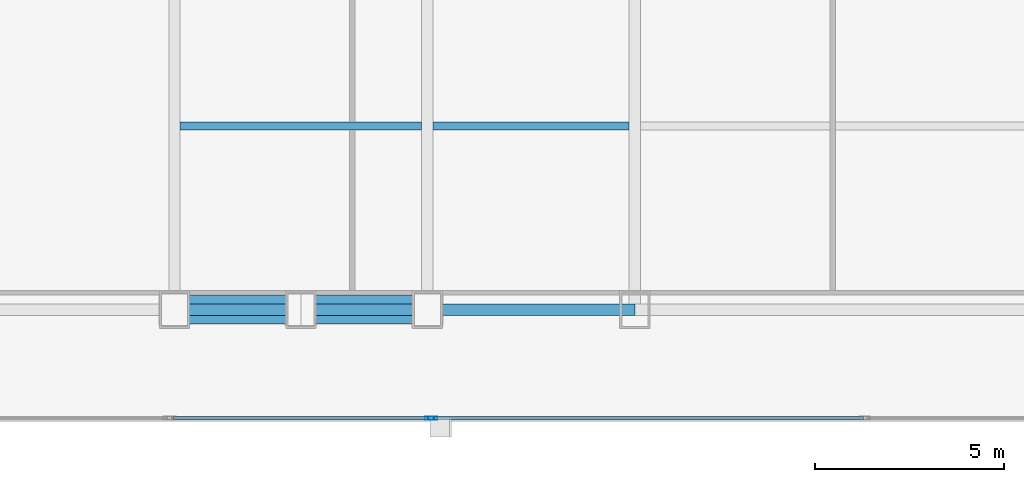
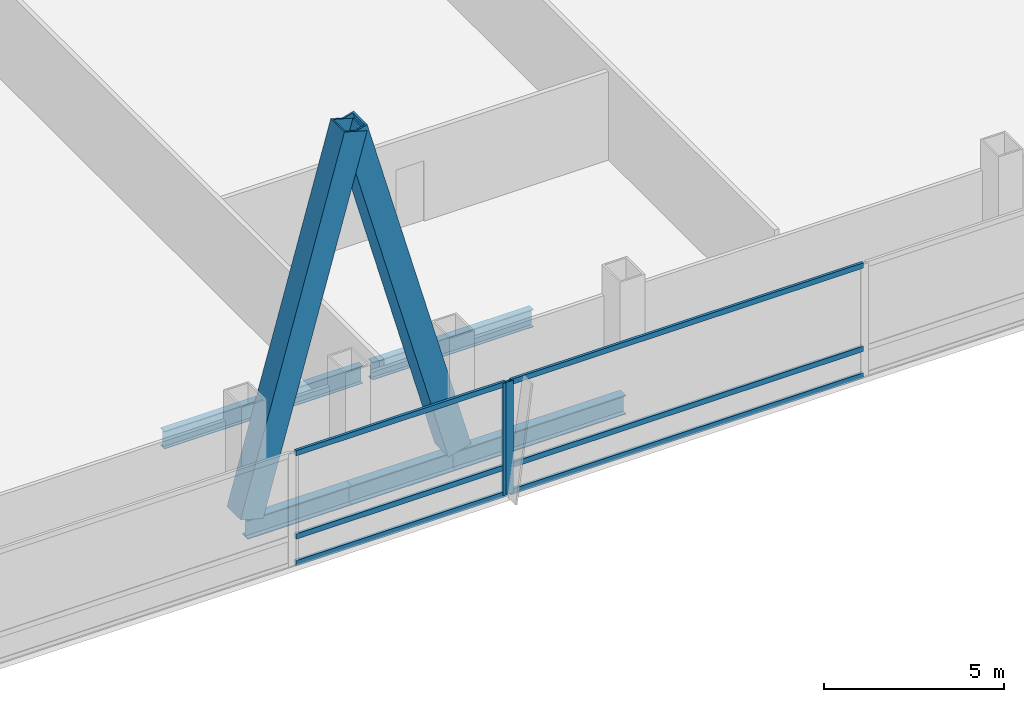
# One storey, part 8 of 36: 10 members, 5 beams, 2 elements without a shape of their own.
"""IFC4 building model written with IfcOpenShell, lengths in metres."""

from ifc_helpers import new_model, si_unit, direction, frame, origin, origin_2d, place, context, subcontext, project, spatial, hollow_rectangle, i_section, extrude, material, material_profile, profile_set, type_object, element, aggregate, save


model = new_model("IFC4")

# Units and contexts
model_context = context("Model", 3, precision=1e-05, world=origin(), true_north=direction((0.0, 1.0)))
body_context = subcontext(model_context, "Body", "Model", "MODEL_VIEW")
ifc_project = project(units=[si_unit("LENGTHUNIT", "METRE"), si_unit("AREAUNIT", "SQUARE_METRE"), si_unit("VOLUMEUNIT", "CUBIC_METRE"), si_unit("PLANEANGLEUNIT", "RADIAN"), si_unit("MASSUNIT", "GRAM", prefix="KILO")], contexts=[model_context])

# Site, building, storey
site_placement = place(None, origin())
site = spatial("IfcSite", under=ifc_project, at=site_placement, CompositionType="ELEMENT")
building_placement = place(site_placement, origin())
building = spatial("IfcBuilding", under=site, at=building_placement, Name="Khoronbel Lancet Exchange", CompositionType="ELEMENT")
storey_placement = place(building_placement, frame((0.0, 0.0, 49.800048828125)))
storey = spatial("IfcBuildingStorey", under=building, at=storey_placement, Name="L11", CompositionType="ELEMENT", Elevation=49.800048828125)

# Beams
ifc_material_1 = material(Name="Steel S355", Category="steel")
ifc_material_profile_1 = material_profile(ifc_material_1, i_section(OverallWidth=0.219970703125, OverallDepth=0.60009765625, WebThickness=0.011962890625, FlangeThickness=0.01904296875, at=origin_2d()), Name="IPE 600")
ifc_profile_set_1 = profile_set([ifc_material_profile_1], Name="Steel S355")
beam_type_1 = type_object("IfcBeamType", Name="BM-BJ1", PredefinedType="JOIST", material=ifc_profile_set_1)
beam_1_placement = place(storey_placement, frame((18.375, 15.0, -0.47998046875), z_axis=(1.0, 0.0, 0.0), x_axis=(0.0, 1.0, 0.0)))
element("IfcBeam", 1, at=beam_1_placement, inside=storey, type_object=beam_type_1, Name="Level L11 secondary composite joist J01", PredefinedType="JOIST", context=body_context, shape_type="SweptSolid", body=[
    extrude(i_section(OverallWidth=0.219970703125, OverallDepth=0.60009765625, WebThickness=0.011962890625, FlangeThickness=0.01904296875, at=origin_2d()), origin(), (0.0, 0.0, 1.0), 6.375),
])
beam_2_placement = place(storey_placement, frame((25.050048828125, 15.0, -0.47998046875), z_axis=(1.0, 0.0, 0.0), x_axis=(0.0, 1.0, 0.0)))
element("IfcBeam", 2, at=beam_2_placement, inside=storey, type_object=beam_type_1, Name="Level L11 secondary composite joist J02", PredefinedType="JOIST", context=body_context, shape_type="SweptSolid", body=[
    extrude(i_section(OverallWidth=0.219970703125, OverallDepth=0.60009765625, WebThickness=0.011962890625, FlangeThickness=0.01904296875, at=origin_2d()), origin(), (0.0, 0.0, 1.0), 5.175048828125),
])
ifc_material_profile_2 = material_profile(ifc_material_1, i_section(OverallWidth=0.300048828125, OverallDepth=0.64990234375, WebThickness=0.01611328125, FlangeThickness=0.031005859375, at=origin_2d()), Name="HEB 650")
ifc_profile_set_2 = profile_set([ifc_material_profile_2], Name="Steel S355")
beam_type_2 = type_object("IfcBeamType", Name="BM-BSP1", PredefinedType="SPANDREL", material=ifc_profile_set_2)
for number, where, z_axis, x_axis, name in (
    (3, (18.22509765625, 10.14990234375, -0.505126953125), (1.0, 0.0, 0.0), (0.0, 1.0, 0.0), "Level L11 perimeter spandrel beam SP02"),
    (4, (21.5625, 10.14990234375, -0.505126953125), (1.0, 0.0, 0.0), (0.0, 1.0, 0.0), "Level L11 perimeter spandrel beam SP03"),
):
    element("IfcBeam", number, at=place(storey_placement, frame(where, z_axis=z_axis, x_axis=x_axis)), inside=storey, type_object=beam_type_2, Name=name, PredefinedType="SPANDREL", context=body_context, shape_type="SweptSolid", body=[
        extrude(i_section(OverallWidth=0.300048828125, OverallDepth=0.64990234375, WebThickness=0.01611328125, FlangeThickness=0.031005859375, at=origin_2d()), origin(), (0.0, 0.0, 1.0), 3.33740234375),
    ])
beam_3_placement = place(storey_placement, frame((24.89990234375, 10.14990234375, -0.505126953125), z_axis=(1.0, 0.0, 0.0), x_axis=(0.0, 1.0, 0.0)))
element("IfcBeam", 5, at=beam_3_placement, inside=storey, type_object=beam_type_2, Name="Level L11 perimeter spandrel beam SP04", PredefinedType="SPANDREL", context=body_context, shape_type="SweptSolid", body=[
    extrude(i_section(OverallWidth=0.300048828125, OverallDepth=0.64990234375, WebThickness=0.01611328125, FlangeThickness=0.031005859375, at=origin_2d()), origin(), (0.0, 0.0, 1.0), 5.47509765625),
])

# Curtain wall, member
ifc_material_2 = material(Name="Low-E Solar Control Insulating Glass", Category="glass")
curtain_wall_type = type_object("IfcCurtainWallType", Name="CW-1", PredefinedType="NOTDEFINED", material=ifc_material_2)
curtain_wall_1_placement = place(storey_placement, origin())
curtain_wall_1 = element("IfcCurtainWall", 6, at=curtain_wall_1_placement, inside=storey, type_object=curtain_wall_type, Name="Unitised curtain wall CW-L11-SWB", PredefinedType="NOTDEFINED")
ifc_material_3 = material(Name="Bronze-Anodised Aluminium 6063-T6", Category="aluminium")
ifc_material_profile_3 = material_profile(ifc_material_3, hollow_rectangle(XDim=0.0849609375, YDim=0.239990234375, WallThickness=0.006103515625, at=origin_2d()), Name="ALU MULLION 85x240")
ifc_profile_set_3 = profile_set([ifc_material_profile_3], Name="Bronze-Anodised Aluminium 6063-T6")
member_type_1 = type_object("IfcMemberType", Name="MEM-CWM1", PredefinedType="MULLION", material=ifc_profile_set_3)
member_1_placement = place(storey_placement, frame((24.95751953125, 7.2900390625, 0.0), z_axis=(0.0, 0.0, 1.0), x_axis=(0.0, 1.0, 0.0)))
member_1 = element("IfcMember", 7, at=member_1_placement, type_object=member_type_1, Name="CW1 mullion 2", PredefinedType="MULLION", context=body_context, shape_type="SweptSolid", body=[
    extrude(hollow_rectangle(XDim=0.0849609375, YDim=0.239990234375, WallThickness=0.006103515625, at=origin_2d()), origin(), (0.0, 0.0, 1.0), 3.820068359375),
])

curtain_wall_2_placement = place(storey_placement, origin())
curtain_wall_2 = element("IfcCurtainWall", 8, at=curtain_wall_2_placement, inside=storey, type_object=curtain_wall_type, Name="Unitised curtain wall CW-L11-SCV", PredefinedType="NOTDEFINED")
member_2_placement = place(storey_placement, frame((25.04248046875, 7.2900390625, 0.0), z_axis=(0.0, 0.0, 1.0), x_axis=(0.0, 1.0, 0.0)))
member_2 = element("IfcMember", 9, at=member_2_placement, type_object=member_type_1, Name="CW1 mullion 1", PredefinedType="MULLION", context=body_context, shape_type="SweptSolid", body=[
    extrude(hollow_rectangle(XDim=0.0849609375, YDim=0.239990234375, WallThickness=0.006103515625, at=origin_2d()), origin(), (0.0, 0.0, 1.0), 3.820068359375),
])

# Member
ifc_material_profile_4 = material_profile(ifc_material_3, hollow_rectangle(XDim=0.0849609375, YDim=0.179931640625, WallThickness=0.0048828125, at=origin_2d()), Name="ALU TRANSOM 85x180")
ifc_profile_set_4 = profile_set([ifc_material_profile_4], Name="Bronze-Anodised Aluminium 6063-T6")
member_type_2 = type_object("IfcMemberType", Name="MEM-CWT1", PredefinedType="USERDEFINED", material=ifc_profile_set_4)
member_3_placement = place(storey_placement, frame((18.18505859375, 7.2900390625, 0.04248046875), z_axis=(1.0, 0.0, 0.0), x_axis=(0.0, 1.0, 0.0)))
member_3 = element("IfcMember", 10, at=member_3_placement, type_object=member_type_2, Name="CW1 transom 1.1", ObjectType="TRANSOM", PredefinedType="USERDEFINED", context=body_context, shape_type="SweptSolid", body=[
    extrude(hollow_rectangle(XDim=0.0849609375, YDim=0.179931640625, WallThickness=0.0048828125, at=origin_2d()), origin(), (0.0, 0.0, 1.0), 6.72998046875),
])

member_4_placement = place(storey_placement, frame((18.18505859375, 7.2900390625, 0.949951171875), z_axis=(1.0, 0.0, 0.0), x_axis=(0.0, 1.0, 0.0)))
member_4 = element("IfcMember", 11, at=member_4_placement, type_object=member_type_2, Name="CW1 transom 1.2", ObjectType="TRANSOM", PredefinedType="USERDEFINED", context=body_context, shape_type="SweptSolid", body=[
    extrude(hollow_rectangle(XDim=0.0849609375, YDim=0.179931640625, WallThickness=0.0048828125, at=origin_2d()), origin(), (0.0, 0.0, 1.0), 6.72998046875),
])

member_5_placement = place(storey_placement, frame((18.18505859375, 7.2900390625, 3.77734375), z_axis=(1.0, 0.0, 0.0), x_axis=(0.0, 1.0, 0.0)))
member_5 = element("IfcMember", 12, at=member_5_placement, type_object=member_type_2, Name="CW1 transom 1.3", ObjectType="TRANSOM", PredefinedType="USERDEFINED", context=body_context, shape_type="SweptSolid", body=[
    extrude(hollow_rectangle(XDim=0.0849609375, YDim=0.179931640625, WallThickness=0.0048828125, at=origin_2d()), origin(), (0.0, 0.0, 1.0), 6.72998046875),
])

aggregate(curtain_wall_1, [member_1, member_3, member_4, member_5])

member_6_placement = place(storey_placement, frame((25.0849609375, 7.2900390625, 0.04248046875), z_axis=(1.0, 0.0, 0.0), x_axis=(0.0, 1.0, 0.0)))
member_6 = element("IfcMember", 13, at=member_6_placement, type_object=member_type_2, Name="CW1 transom 1.1", ObjectType="TRANSOM", PredefinedType="USERDEFINED", context=body_context, shape_type="SweptSolid", body=[
    extrude(hollow_rectangle(XDim=0.0849609375, YDim=0.179931640625, WallThickness=0.0048828125, at=origin_2d()), origin(), (0.0, 0.0, 1.0), 11.322509765625),
])

member_7_placement = place(storey_placement, frame((25.0849609375, 7.2900390625, 0.949951171875), z_axis=(1.0, 0.0, 0.0), x_axis=(0.0, 1.0, 0.0)))
member_7 = element("IfcMember", 14, at=member_7_placement, type_object=member_type_2, Name="CW1 transom 1.2", ObjectType="TRANSOM", PredefinedType="USERDEFINED", context=body_context, shape_type="SweptSolid", body=[
    extrude(hollow_rectangle(XDim=0.0849609375, YDim=0.179931640625, WallThickness=0.0048828125, at=origin_2d()), origin(), (0.0, 0.0, 1.0), 11.322509765625),
])

member_8_placement = place(storey_placement, frame((25.0849609375, 7.2900390625, 3.77734375), z_axis=(1.0, 0.0, 0.0), x_axis=(0.0, 1.0, 0.0)))
member_8 = element("IfcMember", 15, at=member_8_placement, type_object=member_type_2, Name="CW1 transom 1.3", ObjectType="TRANSOM", PredefinedType="USERDEFINED", context=body_context, shape_type="SweptSolid", body=[
    extrude(hollow_rectangle(XDim=0.0849609375, YDim=0.179931640625, WallThickness=0.0048828125, at=origin_2d()), origin(), (0.0, 0.0, 1.0), 11.322509765625),
])

aggregate(curtain_wall_2, [member_2, member_6, member_7, member_8])

# Members
ifc_material_4 = material(Name="Steel S460", Category="steel")
ifc_material_profile_5 = material_profile(ifc_material_4, hollow_rectangle(XDim=0.760009765625, YDim=0.760009765625, WallThickness=0.054931640625, at=origin_2d()), Name="BOX 760x760x55")
ifc_profile_set_5 = profile_set([ifc_material_profile_5], Name="Steel S460")
member_type_3 = type_object("IfcMemberType", Name="MEM-MB1", PredefinedType="BRACE", material=ifc_profile_set_5)
for number, where, z_axis, x_axis, name in (
    (16, (18.22509765625, 10.14990234375, 0.0), (0.267947134133, 0.0, 0.963433616452), (0.0, 1.0, 0.0), "Perimeter lancet brace tier 3 S-W-L"),
    (17, (24.89990234375, 10.14990234375, 0.0), (-0.267947134133, 0.0, 0.963433616452), (0.0, -1.0, 0.0), "Perimeter lancet brace tier 3 S-W-R"),
):
    element("IfcMember", number, at=place(storey_placement, frame(where, z_axis=z_axis, x_axis=x_axis)), inside=storey, type_object=member_type_3, Name=name, PredefinedType="BRACE", context=body_context, shape_type="SweptSolid", body=[
        extrude(hollow_rectangle(XDim=0.760009765625, YDim=0.760009765625, WallThickness=0.054931640625, at=origin_2d()), origin(), (0.0, 0.0, 1.0), 12.45556640625),
    ])

save(model, "model.ifc")
